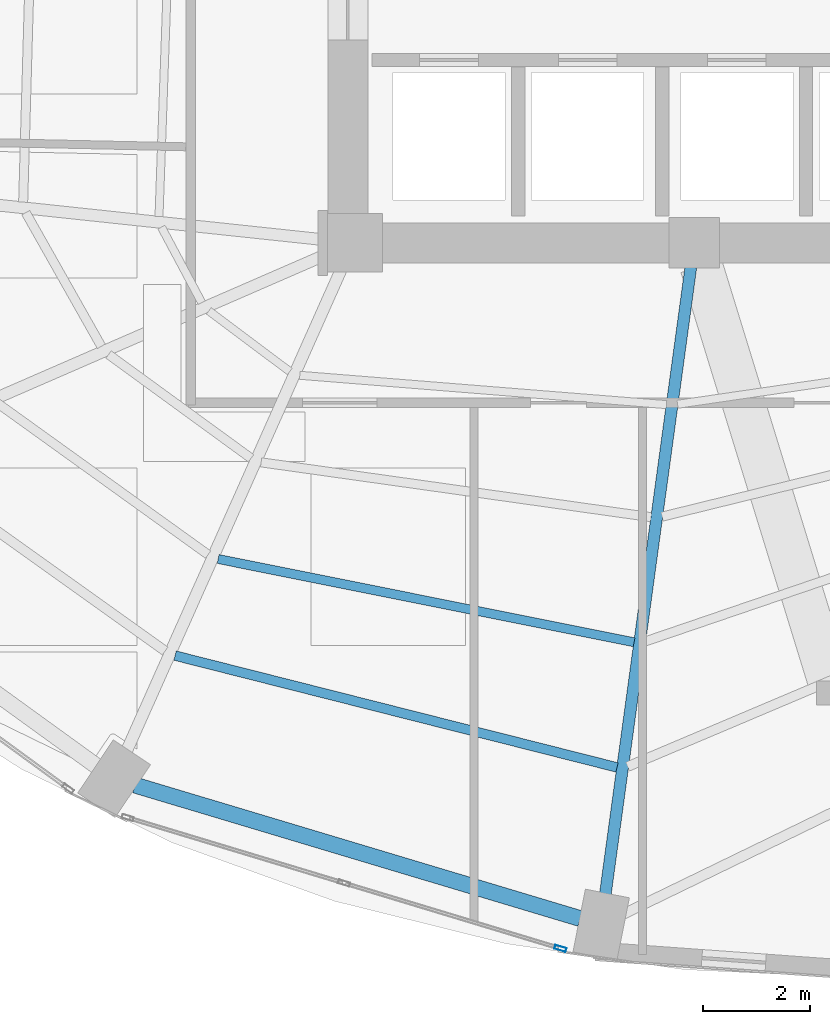
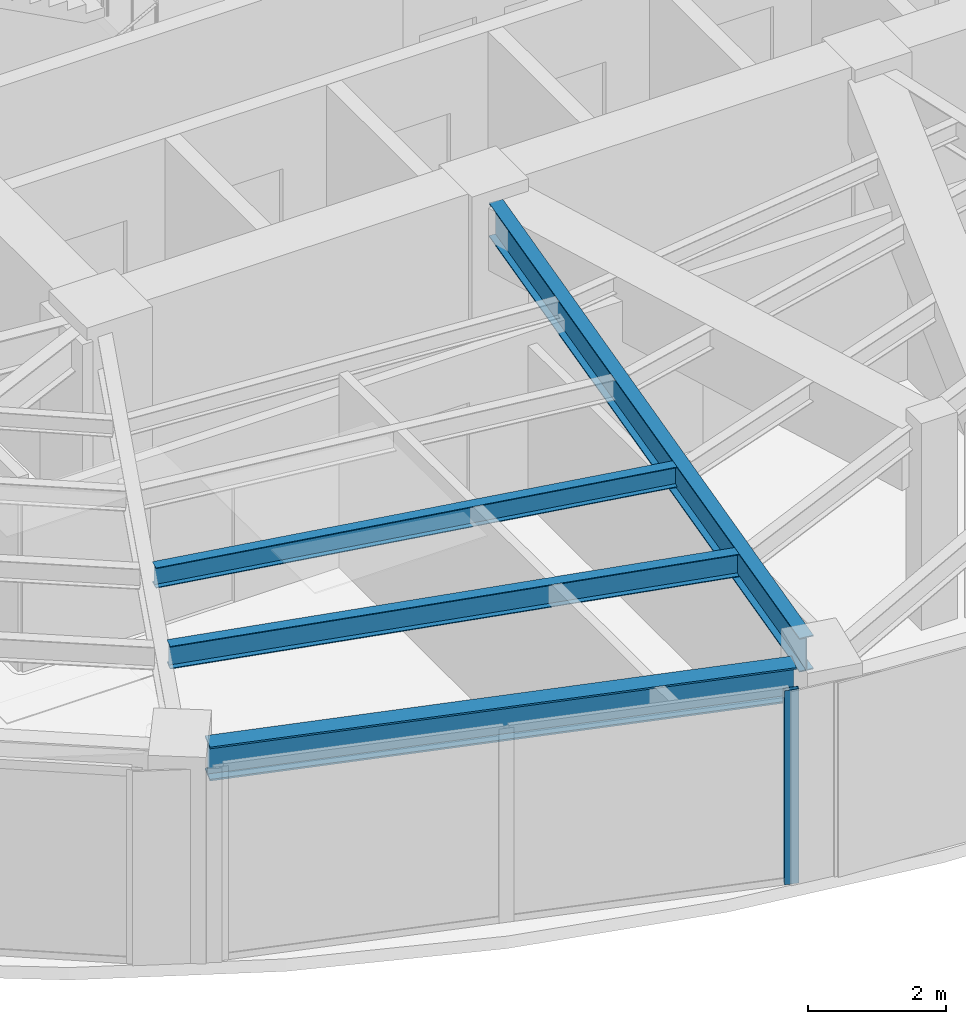
# One storey, part 5 of 24: 4 beams, 1 member, 1 element without a shape of its own.
"""IFC4 building model written with IfcOpenShell, lengths in metres."""

from ifc_helpers import new_model, si_unit, direction, frame, origin, origin_2d, place, context, subcontext, project, spatial, hollow_rectangle, i_section, extrude, material, layer, layer_set, material_profile, profile_set, type_object, element, aggregate, save


model = new_model("IFC4")

# Units and contexts
model_context = context("Model", 3, precision=1e-05, world=origin(), true_north=direction((0.0, 1.0)))
body_context = subcontext(model_context, "Body", "Model", "MODEL_VIEW")
ifc_project = project(units=[si_unit("LENGTHUNIT", "METRE"), si_unit("AREAUNIT", "SQUARE_METRE"), si_unit("VOLUMEUNIT", "CUBIC_METRE"), si_unit("PLANEANGLEUNIT", "RADIAN"), si_unit("MASSUNIT", "GRAM", prefix="KILO")], contexts=[model_context])

# Site, building, storey
site_placement = place(None, origin())
site = spatial("IfcSite", under=ifc_project, at=site_placement, CompositionType="ELEMENT")
building_placement = place(site_placement, origin())
building = spatial("IfcBuilding", under=site, at=building_placement, Name="Lazwardi Medical Tower", CompositionType="ELEMENT")
storey_placement = place(building_placement, frame((0.0, 0.0, 114.575927734375)))
storey = spatial("IfcBuildingStorey", under=building, at=storey_placement, Name="L29", CompositionType="ELEMENT", Elevation=114.575927734375)

# Beams
ifc_material_1 = material(Name="Steel S355", Category="steel")
ifc_material_profile_1 = material_profile(ifc_material_1, i_section(OverallWidth=0.300048828125, OverallDepth=0.60009765625, WebThickness=0.015380859375, FlangeThickness=0.030029296875, at=origin_2d()), Name="HEB 600")
ifc_profile_set_1 = profile_set([ifc_material_profile_1], Name="Steel S355")
beam_type_1 = type_object("IfcBeamType", Name="BM-RB-Z2", PredefinedType="BEAM", material=ifc_profile_set_1)
beam_1_placement = place(storey_placement, frame((22.30908203125, 10.224609375, 3.128173828125), z_axis=(0.957879438442, -0.287170648587, 0.0), x_axis=(0.287170648587, 0.957879438442, 0.0)))
element("IfcBeam", 1, at=beam_1_placement, inside=storey, type_object=beam_type_1, Name="Ring beam RB-03 B15 L29", PredefinedType="BEAM", context=body_context, shape_type="SweptSolid", body=[
    extrude(i_section(OverallWidth=0.300048828125, OverallDepth=0.60009765625, WebThickness=0.015380859375, FlangeThickness=0.030029296875, at=origin_2d()), origin(), (0.0, 0.0, 1.0), 8.719970703125),
])
ifc_material_profile_2 = material_profile(ifc_material_1, i_section(OverallWidth=0.219970703125, OverallDepth=0.60009765625, WebThickness=0.011962890625, FlangeThickness=0.01904296875, at=origin_2d()), Name="IPE 600")
ifc_profile_set_2 = profile_set([ifc_material_profile_2], Name="Steel S355")
beam_type_2 = type_object("IfcBeamType", Name="BM-RG-W1", PredefinedType="BEAM", material=ifc_profile_set_2)
beam_2_placement = place(storey_placement, frame((31.1328125, 8.17724609375, 3.128173828125), z_axis=(0.135147148002, 0.990825538825, 0.0), x_axis=(-0.990825538825, 0.135147148002, 0.0)))
element("IfcBeam", 2, at=beam_2_placement, inside=storey, type_object=beam_type_2, Name="Radial girder RG-02 R16 L29", PredefinedType="BEAM", context=body_context, shape_type="SweptSolid", body=[
    extrude(i_section(OverallWidth=0.219970703125, OverallDepth=0.60009765625, WebThickness=0.011962890625, FlangeThickness=0.01904296875, at=origin_2d()), origin(), (0.0, 0.0, 1.0), 11.875732421875),
])
ifc_material_profile_3 = material_profile(ifc_material_1, i_section(OverallWidth=0.179931640625, OverallDepth=0.39990234375, WebThickness=0.008544921875, FlangeThickness=0.013427734375, at=origin_2d()), Name="IPE 400")
ifc_profile_set_3 = profile_set([ifc_material_profile_3], Name="Steel S355")
beam_type_3 = type_object("IfcBeamType", Name="BM-SJ-01", PredefinedType="JOIST", material=ifc_profile_set_3)
beam_3_placement = place(storey_placement, frame((23.060302734375, 12.654296875, 3.22802734375), z_axis=(0.96945186753, -0.245281626997, 0.0), x_axis=(0.245281626997, 0.96945186753, 0.0)))
element("IfcBeam", 3, at=beam_3_placement, inside=storey, type_object=beam_type_3, Name="Secondary joist SJ-01 R1 B15 L29", PredefinedType="JOIST", context=body_context, shape_type="SweptSolid", body=[
    extrude(i_section(OverallWidth=0.179931640625, OverallDepth=0.39990234375, WebThickness=0.008544921875, FlangeThickness=0.013427734375, at=origin_2d()), origin(), (0.0, 0.0, 1.0), 8.552978515625),
])
ifc_material_profile_4 = material_profile(ifc_material_1, i_section(OverallWidth=0.169921875, OverallDepth=0.360107421875, WebThickness=0.008056640625, FlangeThickness=0.0126953125, at=origin_2d()), Name="IPE 360")
ifc_profile_set_4 = profile_set([ifc_material_profile_4], Name="Steel S355")
beam_type_4 = type_object("IfcBeamType", Name="BM-SJ-02", PredefinedType="JOIST", material=ifc_profile_set_4)
beam_4_placement = place(storey_placement, frame((23.8671875, 14.46728515625, 3.248046875), z_axis=(0.980542906584, -0.196304886203, 0.0), x_axis=(0.196304886203, 0.980542906584, 0.0)))
element("IfcBeam", 4, at=beam_4_placement, inside=storey, type_object=beam_type_4, Name="Secondary joist SJ-02 R2 B15 L29", PredefinedType="JOIST", context=body_context, shape_type="SweptSolid", body=[
    extrude(i_section(OverallWidth=0.169921875, OverallDepth=0.360107421875, WebThickness=0.008056640625, FlangeThickness=0.0126953125, at=origin_2d()), origin(), (0.0, 0.0, 1.0), 7.95947265625),
])

# Curtain wall, member
ifc_material_2 = material(Name="Anodised bronze aluminium and solar control glazing", Category="aluminium")
ifc_layer = layer(ifc_material_2, 0.195068359375)
ifc_layer_set = layer_set([ifc_layer], Name="Anodised bronze aluminium and solar control glazing")
curtain_wall_type = type_object("IfcCurtainWallType", Name="CW-SYS-03", PredefinedType="NOTDEFINED", material=ifc_layer_set)
curtain_wall_placement = place(storey_placement, origin())
curtain_wall = element("IfcCurtainWall", 5, at=curtain_wall_placement, inside=storey, type_object=curtain_wall_type, Name="L29 Unitised bronze curtain wall CW-03", PredefinedType="NOTDEFINED")
ifc_material_3 = material(Name="Anodised bronze aluminium", Category="aluminium")
ifc_material_profile_5 = material_profile(ifc_material_3, hollow_rectangle(XDim=0.074951171875, YDim=0.219970703125, WallThickness=0.00390625, at=origin_2d()), Name="ALU-MULLION 220x75x4")
ifc_profile_set_5 = profile_set([ifc_material_profile_5], Name="Anodised bronze aluminium")
member_type = type_object("IfcMemberType", Name="CW-MUL-01", PredefinedType="MULLION", material=ifc_profile_set_5)
member_placement = place(storey_placement, frame((30.289794921875, 7.159912109375, 0.0), z_axis=(0.0, 0.0, 1.0), x_axis=(0.28937381157, 0.957216170558, 0.0)))
member = element("IfcMember", 6, at=member_placement, type_object=member_type, Name="CW-03 mullion 3", PredefinedType="MULLION", context=body_context, shape_type="SweptSolid", body=[
    extrude(hollow_rectangle(XDim=0.074951171875, YDim=0.219970703125, WallThickness=0.00390625, at=origin_2d()), origin(), (0.0, 0.0, 1.0), 3.427978515625),
])
aggregate(curtain_wall, [member])

save(model, "model.ifc")
